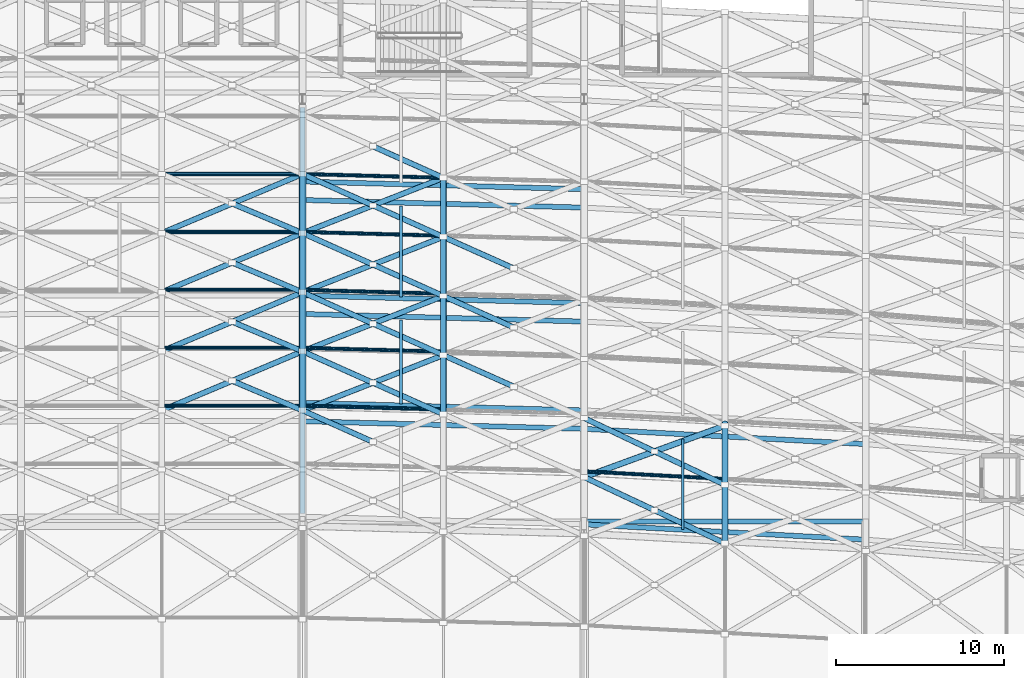
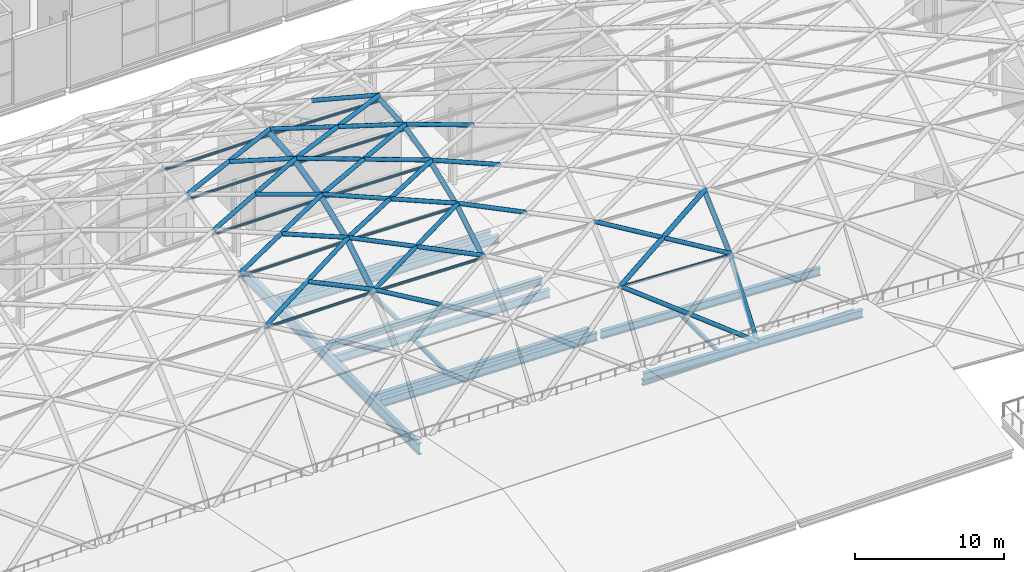
# One storey, part 21 of 100: 51 members, 13 beams.
"""IFC4 building model written with IfcOpenShell, lengths in metres."""

from ifc_helpers import new_model, si_unit, direction, frame, origin, origin_2d, place, context, subcontext, project, spatial, hollow_circle, i_section, extrude, material, material_profile, profile_set, type_object, element, save


model = new_model("IFC4")

# Units and contexts
model_context = context("Model", 3, precision=1e-05, world=origin(), true_north=direction((0.0, 1.0)))
body_context = subcontext(model_context, "Body", "Model", "MODEL_VIEW")
ifc_project = project(units=[si_unit("LENGTHUNIT", "METRE"), si_unit("AREAUNIT", "SQUARE_METRE"), si_unit("VOLUMEUNIT", "CUBIC_METRE"), si_unit("PLANEANGLEUNIT", "RADIAN"), si_unit("MASSUNIT", "GRAM", prefix="KILO")], contexts=[model_context])

# Site, building, storey
site_placement = place(None, origin())
site = spatial("IfcSite", under=ifc_project, at=site_placement, CompositionType="ELEMENT")
building_placement = place(site_placement, origin())
building = spatial("IfcBuilding", under=site, at=building_placement, Name="Kimbaza Rail Terminus", CompositionType="ELEMENT")
storey_placement = place(building_placement, frame((0.0, 0.0, 10.800048828125)))
storey = spatial("IfcBuildingStorey", under=building, at=storey_placement, Name="L02", CompositionType="ELEMENT", Elevation=10.800048828125)

# Beams
ifc_material_1 = material(Name="Steel S355", Category="steel")
ifc_material_profile_1 = material_profile(ifc_material_1, i_section(OverallWidth=0.300048828125, OverallDepth=0.43994140625, WebThickness=0.011474609375, FlangeThickness=0.02099609375, FilletRadius=0.027099609375, at=origin_2d()), Name="HEA 450")
ifc_profile_set_1 = profile_set([ifc_material_profile_1], Name="Steel S355")
beam_type_1 = type_object("IfcBeamType", Name="STR-BM-HEA450", PredefinedType="SPANDREL", material=ifc_profile_set_1)
beam_1_placement = place(storey_placement, frame((139.345947265625, 55.0, -1.179931640625), z_axis=(1.0, 0.0, 0.0), x_axis=(0.0, 1.0, 0.0)))
element("IfcBeam", 1, at=beam_1_placement, inside=storey, type_object=beam_type_1, Name="Beam BM-SKYEDGE-55-5", PredefinedType="SPANDREL", context=body_context, shape_type="SweptSolid", body=[
    extrude(i_section(OverallWidth=0.300048828125, OverallDepth=0.43994140625, WebThickness=0.011474609375, FlangeThickness=0.02099609375, FilletRadius=0.027099609375, at=origin_2d()), origin(), (0.0, 0.0, 1.0), 16.508056640625),
])
ifc_material_2 = material(Name="Steel S355", Category="steel")
ifc_material_profile_2 = material_profile(ifc_material_2, i_section(OverallWidth=0.300048828125, OverallDepth=0.64990234375, WebThickness=0.01611328125, FlangeThickness=0.031005859375, FilletRadius=0.027099609375, at=origin_2d()), Name="HEB 650")
ifc_profile_set_2 = profile_set([ifc_material_profile_2], Name="Steel S355")
beam_type_2 = type_object("IfcBeamType", Name="STR-BM-HEB650", PredefinedType="USERDEFINED", material=ifc_profile_set_2)
for number, where, z_axis, x_axis, name in (
    (2, (122.544921875, 60.9892578125, -0.5849609375), (0.999632852013, -0.027095408765, 0.0), (0.027095408765, 0.999632852013, 0.0), "Viaduct Chorded Girder P1 Bay 07"),
    (3, (122.544921875, 68.4892578125, -0.5849609375), (0.999632852013, -0.027095408765, 0.0), (0.027095408765, 0.999632852013, 0.0), "Viaduct Chorded Girder P2 Bay 07"),
    (4, (122.544921875, 74.189208984375, -0.5849609375), (0.999632852013, -0.027095408765, 0.0), (0.027095408765, 0.999632852013, 0.0), "Viaduct Chorded Girder P2 Bay 07"),
):
    element("IfcBeam", number, at=place(storey_placement, frame(where, z_axis=z_axis, x_axis=x_axis)), inside=storey, type_object=beam_type_2, Name=name, ObjectType="GIRDER", PredefinedType="USERDEFINED", context=body_context, shape_type="SweptSolid", body=[
        extrude(i_section(OverallWidth=0.300048828125, OverallDepth=0.64990234375, WebThickness=0.01611328125, FlangeThickness=0.031005859375, FilletRadius=0.027099609375, at=origin_2d()), origin(), (0.0, 0.0, 1.0), 16.51611328125),
    ])
for number, where, z_axis, x_axis, name in (
    (5, (139.3447265625, 54.829833984375, -0.5849609375), (0.998529923153, -0.054203252368, 0.0), (0.054203252368, 0.998529923153, 0.0), "Viaduct Chorded Girder P1 Bay 08"),
    (6, (139.3447265625, 60.52978515625, -0.5849609375), (0.998529923153, -0.054203252368, 0.0), (0.054203252368, 0.998529923153, 0.0), "Viaduct Chorded Girder P1 Bay 08"),
):
    element("IfcBeam", number, at=place(storey_placement, frame(where, z_axis=z_axis, x_axis=x_axis)), inside=storey, type_object=beam_type_2, Name=name, ObjectType="GIRDER", PredefinedType="USERDEFINED", context=body_context, shape_type="SweptSolid", body=[
        extrude(i_section(OverallWidth=0.300048828125, OverallDepth=0.64990234375, WebThickness=0.01611328125, FlangeThickness=0.031005859375, FilletRadius=0.027099609375, at=origin_2d()), origin(), (0.0, 0.0, 1.0), 16.534912109375),
    ])
ifc_material_3 = material(Name="Steel S355", Category="steel")
ifc_material_profile_3 = material_profile(ifc_material_3, i_section(OverallWidth=0.300048828125, OverallDepth=0.699951171875, WebThickness=0.01708984375, FlangeThickness=0.031982421875, FilletRadius=0.027099609375, at=origin_2d()), Name="HEB 700")
ifc_profile_set_3 = profile_set([ifc_material_profile_3], Name="Steel S355")
beam_type_3 = type_object("IfcBeamType", Name="STR-BM-HEB700", PredefinedType="USERDEFINED", material=ifc_profile_set_3)
for number, where, z_axis, x_axis, name in (
    (7, (122.544921875, 62.089111328125, -0.920166015625), (0.999632852013, -0.027095408765, 0.0), (0.027095408765, 0.999632852013, 0.0), "Viaduct Chorded Girder TR12 Bay 07"),
    (8, (122.544921875, 67.38916015625, -0.920166015625), (0.999632852013, -0.027095408765, 0.0), (0.027095408765, 0.999632852013, 0.0), "Viaduct Chorded Girder TR12 Bay 07"),
    (9, (122.544921875, 75.2890625, -0.920166015625), (0.999632852013, -0.027095408765, 0.0), (0.027095408765, 0.999632852013, 0.0), "Viaduct Chorded Girder TR34 Bay 07"),
):
    element("IfcBeam", number, at=place(storey_placement, frame(where, z_axis=z_axis, x_axis=x_axis)), inside=storey, type_object=beam_type_3, Name=name, ObjectType="GIRDER", PredefinedType="USERDEFINED", context=body_context, shape_type="SweptSolid", body=[
        extrude(i_section(OverallWidth=0.300048828125, OverallDepth=0.699951171875, WebThickness=0.01708984375, FlangeThickness=0.031982421875, FilletRadius=0.027099609375, at=origin_2d()), origin(), (0.0, 0.0, 1.0), 16.51611328125),
    ])
ifc_material_4 = material(Name="Steel S355", Category="steel")
ifc_material_profile_4 = material_profile(ifc_material_4, i_section(OverallWidth=0.302001953125, OverallDepth=0.909912109375, WebThickness=0.02099609375, FlangeThickness=0.0400390625, FilletRadius=0.030029296875, at=origin_2d()), Name="HEM 900")
ifc_profile_set_4 = profile_set([ifc_material_profile_4], Name="Steel S355")
beam_type_4 = type_object("IfcBeamType", Name="STR-BM-HEM900", PredefinedType="USERDEFINED", material=ifc_profile_set_4)
beam_2_placement = place(storey_placement, frame((122.39990234375, 55.498046875, -1.025146484375), z_axis=(0.0, 1.0, 0.0), x_axis=(-1.0, 0.0, 0.0)))
element("IfcBeam", 10, at=beam_2_placement, inside=storey, type_object=beam_type_4, Name="Warren Transfer Truss WT-04 Top Chord", ObjectType="GIRDER", PredefinedType="USERDEFINED", context=body_context, shape_type="SweptSolid", body=[
    extrude(i_section(OverallWidth=0.302001953125, OverallDepth=0.909912109375, WebThickness=0.02099609375, FlangeThickness=0.0400390625, FilletRadius=0.030029296875, at=origin_2d()), origin(), (0.0, 0.0, 1.0), 24.203857421875),
])
ifc_material_5 = material(Name="Steel S355", Category="steel")
ifc_material_profile_5 = material_profile(ifc_material_5, i_section(OverallWidth=0.169921875, OverallDepth=0.360107421875, WebThickness=0.008056640625, FlangeThickness=0.0126953125, FilletRadius=0.01806640625, at=origin_2d()), Name="IPE 360")
ifc_profile_set_5 = profile_set([ifc_material_profile_5], Name="Steel S355")
beam_type_5 = type_object("IfcBeamType", Name="STR-BM-IPE360", PredefinedType="JOIST", material=ifc_profile_set_5)
beam_3_placement = place(storey_placement, frame((128.280029296875, 62.010498046875, -0.75), z_axis=(0.0, 1.0, 0.0), x_axis=(-1.0, 0.0, 0.0)))
element("IfcBeam", 11, at=beam_3_placement, inside=storey, type_object=beam_type_5, Name="Viaduct Diaphragm TR12 Bay 07", PredefinedType="JOIST", context=body_context, shape_type="SweptSolid", body=[
    extrude(i_section(OverallWidth=0.169921875, OverallDepth=0.360107421875, WebThickness=0.008056640625, FlangeThickness=0.0126953125, FilletRadius=0.01806640625, at=origin_2d()), origin(), (0.0, 0.0, 1.0), 5.010009765625),
])
beam_4_placement = place(storey_placement, frame((128.280029296875, 68.410400390625, -0.43994140625), z_axis=(0.0, 1.0, 0.0), x_axis=(-1.0, 0.0, 0.0)))
element("IfcBeam", 12, at=beam_4_placement, inside=storey, type_object=beam_type_5, Name="Viaduct Diaphragm P2 Bay 07", PredefinedType="JOIST", context=body_context, shape_type="SweptSolid", body=[
    extrude(i_section(OverallWidth=0.169921875, OverallDepth=0.360107421875, WebThickness=0.008056640625, FlangeThickness=0.0126953125, FilletRadius=0.01806640625, at=origin_2d()), origin(), (0.0, 0.0, 1.0), 5.409912109375),
])
beam_5_placement = place(storey_placement, frame((145.080078125, 54.526611328125, -0.43994140625), z_axis=(0.0, 1.0, 0.0), x_axis=(-1.0, 0.0, 0.0)))
element("IfcBeam", 13, at=beam_5_placement, inside=storey, type_object=beam_type_5, Name="Viaduct Diaphragm P1 Bay 08", PredefinedType="JOIST", context=body_context, shape_type="SweptSolid", body=[
    extrude(i_section(OverallWidth=0.169921875, OverallDepth=0.360107421875, WebThickness=0.008056640625, FlangeThickness=0.0126953125, FilletRadius=0.01806640625, at=origin_2d()), origin(), (0.0, 0.0, 1.0), 5.41015625),
])

# Members
ifc_material_6 = material(Name="White painted steel S355", Category="steel")
ifc_material_profile_6 = material_profile(ifc_material_6, hollow_circle(Radius=0.109619140625, WallThickness=0.008056640625, at=origin_2d()), Name="CHS 219.1x8")
ifc_profile_set_6 = profile_set([ifc_material_profile_6], Name="White painted steel S355")
member_type_1 = type_object("IfcMemberType", Name="STR-MB-CHS219", PredefinedType="PURLIN", material=ifc_profile_set_6)
for number, where, z_axis, x_axis, name in (
    (14, (114.0, 61.9150390625, 7.9716796875), (1.0, 0.0, 0.0), (0.0, 1.0, 0.0), "Vault lattice longitudinal purlin VR-11-VA03"),
    (15, (114.0, 65.3720703125, 10.078857421875), (1.0, 0.0, 0.0), (0.0, 1.0, 0.0), "Vault lattice longitudinal purlin VR-11-VA04"),
    (16, (114.0, 68.8291015625, 11.462158203125), (1.0, 0.0, 0.0), (0.0, 1.0, 0.0), "Vault lattice longitudinal purlin VR-11-VA05"),
    (17, (114.0, 72.2861328125, 12.25244140625), (1.0, 0.0, 0.0), (0.0, 1.0, 0.0), "Vault lattice longitudinal purlin VR-11-VA06"),
    (18, (114.0, 75.7431640625, 12.510009765625), (1.0, 0.0, 0.0), (0.0, 1.0, 0.0), "Vault lattice longitudinal purlin VR-11-VA07"),
):
    element("IfcMember", number, at=place(storey_placement, frame(where, z_axis=z_axis, x_axis=x_axis)), inside=storey, type_object=member_type_1, Name=name, PredefinedType="PURLIN", context=body_context, shape_type="SweptSolid", body=[
        extrude(hollow_circle(Radius=0.109619140625, WallThickness=0.008056640625, at=origin_2d()), origin(), (0.0, 0.0, 1.0), 8.39990234375),
    ])
for number, where, z_axis, x_axis, name in (
    (19, (122.39990234375, 61.9150390625, 7.9716796875), (0.999632548307, -0.027106611084, 0.0), (0.027106611084, 0.999632548307, 0.0), "Vault lattice longitudinal purlin VR-12-VA03"),
    (20, (122.39990234375, 65.3720703125, 10.078857421875), (0.999632548307, -0.027106611084, 0.0), (0.027106611084, 0.999632548307, 0.0), "Vault lattice longitudinal purlin VR-12-VA04"),
    (21, (122.39990234375, 68.8291015625, 11.462158203125), (0.999632548307, -0.027106611084, 0.0), (0.027106611084, 0.999632548307, 0.0), "Vault lattice longitudinal purlin VR-12-VA05"),
    (22, (122.39990234375, 72.2861328125, 12.25244140625), (0.999632548307, -0.027106611084, 0.0), (0.027106611084, 0.999632548307, 0.0), "Vault lattice longitudinal purlin VR-12-VA06"),
    (23, (122.39990234375, 75.7431640625, 12.510009765625), (0.999632548307, -0.027106611084, 0.0), (0.027106611084, 0.999632548307, 0.0), "Vault lattice longitudinal purlin VR-12-VA07"),
):
    element("IfcMember", number, at=place(storey_placement, frame(where, z_axis=z_axis, x_axis=x_axis)), inside=storey, type_object=member_type_1, Name=name, PredefinedType="PURLIN", context=body_context, shape_type="SweptSolid", body=[
        extrude(hollow_circle(Radius=0.109619140625, WallThickness=0.008056640625, at=origin_2d()), origin(), (0.0, 0.0, 1.0), 8.4033203125),
    ])
member_1_placement = place(storey_placement, frame((139.199951171875, 58.00244140625, 4.85205078125), z_axis=(0.998531049137, -0.054182505558, 0.0), x_axis=(0.054182505558, 0.998531049137, 0.0)))
element("IfcMember", 24, at=member_1_placement, inside=storey, type_object=member_type_1, Name="Vault lattice longitudinal purlin VR-14-VA02", PredefinedType="PURLIN", context=body_context, shape_type="SweptSolid", body=[
    extrude(hollow_circle(Radius=0.109619140625, WallThickness=0.008056640625, at=origin_2d()), origin(), (0.0, 0.0, 1.0), 8.41259765625),
])
ifc_material_7 = material(Name="White painted steel S355", Category="steel")
ifc_material_profile_7 = material_profile(ifc_material_7, hollow_circle(Radius=0.161865234375, WallThickness=0.010009765625, at=origin_2d()), Name="CHS 323.9x10")
ifc_profile_set_7 = profile_set([ifc_material_profile_7], Name="White painted steel S355")
member_type_2 = type_object("IfcMemberType", Name="STR-MB-CHS323", PredefinedType="STRUT", material=ifc_profile_set_7)
member_2_placement = place(storey_placement, frame((114.0, 61.636474609375, 8.350341796875), z_axis=(0.897396130004, 0.376762398939, 0.229630748374), x_axis=(-0.387106733867, 0.922034910725, 0.0)))
element("IfcMember", 25, at=member_2_placement, inside=storey, type_object=member_type_2, Name="Vault lattice diagonal A VR-11-VA03", PredefinedType="STRUT", context=body_context, shape_type="SweptSolid", body=[
    extrude(hollow_circle(Radius=0.161865234375, WallThickness=0.010009765625, at=origin_2d()), origin(), (0.0, 0.0, 1.0), 9.3603515625),
])
member_3_placement = place(storey_placement, frame((122.39990234375, 61.636474609375, 8.350341796875), z_axis=(-0.897404948472, 0.376740018477, 0.229633004893), x_axis=(-0.38708395067, -0.922044475681, 0.0)))
element("IfcMember", 26, at=member_3_placement, inside=storey, type_object=member_type_2, Name="Vault lattice diagonal B1 VR-11-VA03", PredefinedType="STRUT", context=body_context, shape_type="SweptSolid", body=[
    extrude(hollow_circle(Radius=0.161865234375, WallThickness=0.010009765625, at=origin_2d()), origin(), (0.0, 0.0, 1.0), 4.68017578125),
])
member_4_placement = place(storey_placement, frame((114.0, 65.1630859375, 10.499755859375), z_axis=(0.911165232301, 0.382543212829, 0.153096733358), x_axis=(-0.387106733867, 0.922034910725, 0.0)))
element("IfcMember", 27, at=member_4_placement, inside=storey, type_object=member_type_2, Name="Vault lattice diagonal A VR-11-VA04", PredefinedType="STRUT", context=body_context, shape_type="SweptSolid", body=[
    extrude(hollow_circle(Radius=0.161865234375, WallThickness=0.010009765625, at=origin_2d()), origin(), (0.0, 0.0, 1.0), 9.21875),
])
member_5_placement = place(storey_placement, frame((122.39990234375, 65.1630859375, 10.499755859375), z_axis=(-0.911152306862, 0.382564268585, 0.153121043954), x_axis=(-0.387129516355, -0.922025345404, 0.0)))
element("IfcMember", 28, at=member_5_placement, inside=storey, type_object=member_type_2, Name="Vault lattice diagonal B1 VR-11-VA04", PredefinedType="STRUT", context=body_context, shape_type="SweptSolid", body=[
    extrude(hollow_circle(Radius=0.161865234375, WallThickness=0.010009765625, at=origin_2d()), origin(), (0.0, 0.0, 1.0), 4.609375),
])
member_6_placement = place(storey_placement, frame((114.0, 68.689697265625, 11.9111328125), z_axis=(0.918446051107, 0.385599988614, 0.088144767214), x_axis=(-0.387106733867, 0.922034910725, 0.0)))
element("IfcMember", 29, at=member_6_placement, inside=storey, type_object=member_type_2, Name="Vault lattice diagonal A VR-11-VA05", PredefinedType="STRUT", context=body_context, shape_type="SweptSolid", body=[
    extrude(hollow_circle(Radius=0.161865234375, WallThickness=0.010009765625, at=origin_2d()), origin(), (0.0, 0.0, 1.0), 9.145751953125),
])
member_7_placement = place(storey_placement, frame((122.39990234375, 68.689697265625, 11.9111328125), z_axis=(-0.918436597045, 0.385622713507, 0.088143859892), x_axis=(-0.387129516355, -0.922025345404, 0.0)))
element("IfcMember", 30, at=member_7_placement, inside=storey, type_object=member_type_2, Name="Vault lattice diagonal B1 VR-11-VA05", PredefinedType="STRUT", context=body_context, shape_type="SweptSolid", body=[
    extrude(hollow_circle(Radius=0.161865234375, WallThickness=0.010009765625, at=origin_2d()), origin(), (0.0, 0.0, 1.0), 4.572998046875),
])
member_8_placement = place(storey_placement, frame((114.0, 72.21630859375, 12.71728515625), z_axis=(0.921642270206, 0.386968675097, 0.028823085588), x_axis=(-0.387129516355, 0.922025345404, 0.0)))
element("IfcMember", 31, at=member_8_placement, inside=storey, type_object=member_type_2, Name="Vault lattice diagonal A VR-11-VA06", PredefinedType="STRUT", context=body_context, shape_type="SweptSolid", body=[
    extrude(hollow_circle(Radius=0.161865234375, WallThickness=0.010009765625, at=origin_2d()), origin(), (0.0, 0.0, 1.0), 9.114013671875),
])
member_9_placement = place(storey_placement, frame((122.39990234375, 72.21630859375, 12.71728515625), z_axis=(-0.921642270206, 0.386968675097, 0.028823085588), x_axis=(-0.387129516355, -0.922025345404, 0.0)))
element("IfcMember", 32, at=member_9_placement, inside=storey, type_object=member_type_2, Name="Vault lattice diagonal B1 VR-11-VA06", PredefinedType="STRUT", context=body_context, shape_type="SweptSolid", body=[
    extrude(hollow_circle(Radius=0.161865234375, WallThickness=0.010009765625, at=origin_2d()), origin(), (0.0, 0.0, 1.0), 4.55712890625),
])
member_10_placement = place(storey_placement, frame((126.60009765625, 59.75927734375, 6.759033203125), z_axis=(-0.862811084506, 0.385616974469, 0.326889249524), x_axis=(-0.408033237953, -0.912967073188, 0.0)))
element("IfcMember", 33, at=member_10_placement, inside=storey, type_object=member_type_2, Name="Vault lattice diagonal B2 VR-12-VA02", PredefinedType="STRUT", context=body_context, shape_type="SweptSolid", body=[
    extrude(hollow_circle(Radius=0.161865234375, WallThickness=0.010009765625, at=origin_2d()), origin(), (0.0, 0.0, 1.0), 4.867919921875),
])
member_11_placement = place(storey_placement, frame((122.39990234375, 61.636474609375, 8.350341796875), z_axis=(0.905470504303, 0.355588033079, 0.231690130493), x_axis=(-0.365534354506, 0.930797848985, 0.0)))
element("IfcMember", 34, at=member_11_placement, inside=storey, type_object=member_type_2, Name="Vault lattice diagonal A VR-12-VA03", PredefinedType="STRUT", context=body_context, shape_type="SweptSolid", body=[
    extrude(hollow_circle(Radius=0.161865234375, WallThickness=0.010009765625, at=origin_2d()), origin(), (0.0, 0.0, 1.0), 9.277099609375),
])
member_12_placement = place(storey_placement, frame((130.800048828125, 61.40869140625, 8.350341796875), z_axis=(-0.88902133096, 0.397354241339, 0.227487757885), x_axis=(-0.408053007434, -0.912958237338, 0.0)))
element("IfcMember", 35, at=member_12_placement, inside=storey, type_object=member_type_2, Name="Vault lattice diagonal B1 VR-12-VA03", PredefinedType="STRUT", context=body_context, shape_type="SweptSolid", body=[
    extrude(hollow_circle(Radius=0.161865234375, WallThickness=0.010009765625, at=origin_2d()), origin(), (0.0, 0.0, 1.0), 4.72412109375),
])
member_13_placement = place(storey_placement, frame((126.60009765625, 63.285888671875, 9.425048828125), z_axis=(-0.889032164102, 0.397335986386, 0.227477306811), x_axis=(-0.408033237953, -0.912967073188, 0.0)))
element("IfcMember", 36, at=member_13_placement, inside=storey, type_object=member_type_2, Name="Vault lattice diagonal B2 VR-12-VA03", PredefinedType="STRUT", context=body_context, shape_type="SweptSolid", body=[
    extrude(hollow_circle(Radius=0.161865234375, WallThickness=0.010009765625, at=origin_2d()), origin(), (0.0, 0.0, 1.0), 4.724365234375),
])
member_14_placement = place(storey_placement, frame((122.39990234375, 65.1630859375, 10.499755859375), z_axis=(0.91961082398, 0.361167816562, 0.154511296347), x_axis=(-0.365557792091, 0.930788644452, 0.0)))
element("IfcMember", 37, at=member_14_placement, inside=storey, type_object=member_type_2, Name="Vault lattice diagonal A VR-12-VA04", PredefinedType="STRUT", context=body_context, shape_type="SweptSolid", body=[
    extrude(hollow_circle(Radius=0.161865234375, WallThickness=0.010009765625, at=origin_2d()), origin(), (0.0, 0.0, 1.0), 9.134521484375),
])
for number, where, z_axis, x_axis, name in (
    (38, (130.800048828125, 64.935302734375, 10.499755859375), (-0.902399186705, 0.40333356662, 0.15165006387), (-0.408053007434, -0.912958237338, 0.0), "Vault lattice diagonal B1 VR-12-VA04"),
    (39, (126.60009765625, 66.8125, 11.20556640625), (-0.90241610258, 0.403317682675, 0.151591637785), (-0.408033237953, -0.912967073188, 0.0), "Vault lattice diagonal B2 VR-12-VA04"),
):
    element("IfcMember", number, at=place(storey_placement, frame(where, z_axis=z_axis, x_axis=x_axis)), inside=storey, type_object=member_type_2, Name=name, PredefinedType="STRUT", context=body_context, shape_type="SweptSolid", body=[
        extrude(hollow_circle(Radius=0.161865234375, WallThickness=0.010009765625, at=origin_2d()), origin(), (0.0, 0.0, 1.0), 4.654296875),
    ])
member_15_placement = place(storey_placement, frame((122.39990234375, 68.689697265625, 11.9111328125), z_axis=(0.927097218158, 0.364108021884, 0.088972447884), x_axis=(-0.365557792091, 0.930788644452, 0.0)))
element("IfcMember", 40, at=member_15_placement, inside=storey, type_object=member_type_2, Name="Vault lattice diagonal A VR-12-VA05", PredefinedType="STRUT", context=body_context, shape_type="SweptSolid", body=[
    extrude(hollow_circle(Radius=0.161865234375, WallThickness=0.010009765625, at=origin_2d()), origin(), (0.0, 0.0, 1.0), 9.060791015625),
])
member_16_placement = place(storey_placement, frame((130.800048828125, 68.462158203125, 11.9111328125), z_axis=(-0.909473927831, 0.406495671167, 0.087283697893), x_axis=(-0.408053007434, -0.912958237338, 0.0)))
element("IfcMember", 41, at=member_16_placement, inside=storey, type_object=member_type_2, Name="Vault lattice diagonal B1 VR-12-VA05", PredefinedType="STRUT", context=body_context, shape_type="SweptSolid", body=[
    extrude(hollow_circle(Radius=0.161865234375, WallThickness=0.010009765625, at=origin_2d()), origin(), (0.0, 0.0, 1.0), 4.617919921875),
])
member_17_placement = place(storey_placement, frame((126.60009765625, 70.33935546875, 12.314208984375), z_axis=(-0.909502608163, 0.406431995557, 0.087281376777), x_axis=(-0.407989004584, -0.912986841164, 0.0)))
element("IfcMember", 42, at=member_17_placement, inside=storey, type_object=member_type_2, Name="Vault lattice diagonal B2 VR-12-VA05", PredefinedType="STRUT", context=body_context, shape_type="SweptSolid", body=[
    extrude(hollow_circle(Radius=0.161865234375, WallThickness=0.010009765625, at=origin_2d()), origin(), (0.0, 0.0, 1.0), 4.6181640625),
])
member_18_placement = place(storey_placement, frame((122.39990234375, 72.21630859375, 12.71728515625), z_axis=(0.930394569994, 0.365403023348, 0.029095955977), x_axis=(-0.365557792091, 0.930788644452, 0.0)))
element("IfcMember", 43, at=member_18_placement, inside=storey, type_object=member_type_2, Name="Vault lattice diagonal A VR-12-VA06", PredefinedType="STRUT", context=body_context, shape_type="SweptSolid", body=[
    extrude(hollow_circle(Radius=0.161865234375, WallThickness=0.010009765625, at=origin_2d()), origin(), (0.0, 0.0, 1.0), 9.028564453125),
])
member_19_placement = place(storey_placement, frame((130.800048828125, 71.98876953125, 12.71728515625), z_axis=(-0.912586348206, 0.407886789011, 0.028539874169), x_axis=(-0.408053007434, -0.912958237338, 0.0)))
element("IfcMember", 44, at=member_19_placement, inside=storey, type_object=member_type_2, Name="Vault lattice diagonal B1 VR-12-VA06", PredefinedType="STRUT", context=body_context, shape_type="SweptSolid", body=[
    extrude(hollow_circle(Radius=0.161865234375, WallThickness=0.010009765625, at=origin_2d()), origin(), (0.0, 0.0, 1.0), 4.602294921875),
])
member_20_placement = place(storey_placement, frame((126.60009765625, 73.865966796875, 12.8486328125), z_axis=(-0.912595216469, 0.407867043678, 0.028538492587), x_axis=(-0.408033237953, -0.912967073188, 0.0)))
element("IfcMember", 45, at=member_20_placement, inside=storey, type_object=member_type_2, Name="Vault lattice diagonal B2 VR-12-VA06", PredefinedType="STRUT", context=body_context, shape_type="SweptSolid", body=[
    extrude(hollow_circle(Radius=0.161865234375, WallThickness=0.010009765625, at=origin_2d()), origin(), (0.0, 0.0, 1.0), 4.6025390625),
])
member_21_placement = place(storey_placement, frame((130.800048828125, 75.515380859375, 12.97998046875), z_axis=(-0.912586348206, 0.407886789011, -0.028539874169), x_axis=(-0.408053007434, -0.912958237338, 0.0)))
element("IfcMember", 46, at=member_21_placement, inside=storey, type_object=member_type_2, Name="Vault lattice diagonal B1 VR-12-VA07", PredefinedType="STRUT", context=body_context, shape_type="SweptSolid", body=[
    extrude(hollow_circle(Radius=0.161865234375, WallThickness=0.010009765625, at=origin_2d()), origin(), (0.0, 0.0, 1.0), 4.602294921875),
])
member_22_placement = place(storey_placement, frame((135.0, 63.05810546875, 9.425048828125), z_axis=(-0.88902133096, 0.397354241339, 0.227487757885), x_axis=(-0.408053007434, -0.912958237338, 0.0)))
element("IfcMember", 47, at=member_22_placement, inside=storey, type_object=member_type_2, Name="Vault lattice diagonal B2 VR-13-VA03", PredefinedType="STRUT", context=body_context, shape_type="SweptSolid", body=[
    extrude(hollow_circle(Radius=0.161865234375, WallThickness=0.010009765625, at=origin_2d()), origin(), (0.0, 0.0, 1.0), 4.72412109375),
])
member_23_placement = place(storey_placement, frame((135.0, 66.5849609375, 11.20556640625), z_axis=(-0.902406364083, 0.4033367746, 0.151598813707), x_axis=(-0.408053007434, -0.912958237338, 0.0)))
element("IfcMember", 48, at=member_23_placement, inside=storey, type_object=member_type_2, Name="Vault lattice diagonal B2 VR-13-VA04", PredefinedType="STRUT", context=body_context, shape_type="SweptSolid", body=[
    extrude(hollow_circle(Radius=0.161865234375, WallThickness=0.010009765625, at=origin_2d()), origin(), (0.0, 0.0, 1.0), 4.654052734375),
])
member_24_placement = place(storey_placement, frame((135.0, 70.111572265625, 12.314208984375), z_axis=(-0.909473927831, 0.406495671167, 0.087283697893), x_axis=(-0.408053007434, -0.912958237338, 0.0)))
element("IfcMember", 49, at=member_24_placement, inside=storey, type_object=member_type_2, Name="Vault lattice diagonal B2 VR-13-VA05", PredefinedType="STRUT", context=body_context, shape_type="SweptSolid", body=[
    extrude(hollow_circle(Radius=0.161865234375, WallThickness=0.010009765625, at=origin_2d()), origin(), (0.0, 0.0, 1.0), 4.617919921875),
])
member_25_placement = place(storey_placement, frame((147.60009765625, 53.707275390625, 0.064208984375), z_axis=(-0.793078072495, 0.37266002895, 0.481821205169), x_axis=(-0.425280130373, -0.905061771765, 0.0)))
element("IfcMember", 50, at=member_25_placement, inside=storey, type_object=member_type_2, Name="Vault lattice diagonal B1 VR-14-VA01", PredefinedType="STRUT", context=body_context, shape_type="SweptSolid", body=[
    extrude(hollow_circle(Radius=0.161865234375, WallThickness=0.010009765625, at=origin_2d()), origin(), (0.0, 0.0, 1.0), 5.296142578125),
])
member_26_placement = place(storey_placement, frame((143.39990234375, 55.680908203125, 2.615966796875), z_axis=(-0.793074592317, 0.372633955106, 0.481847098698), x_axis=(-0.425257284719, -0.905072506374, 0.0)))
element("IfcMember", 51, at=member_26_placement, inside=storey, type_object=member_type_2, Name="Vault lattice diagonal B2 VR-14-VA01", PredefinedType="STRUT", context=body_context, shape_type="SweptSolid", body=[
    extrude(hollow_circle(Radius=0.161865234375, WallThickness=0.010009765625, at=origin_2d()), origin(), (0.0, 0.0, 1.0), 5.2958984375),
])
member_27_placement = place(storey_placement, frame((147.60009765625, 57.198486328125, 5.167724609375), z_axis=(-0.854892339513, 0.405283766628, 0.323889111192), x_axis=(-0.42837531665, -0.903600900888, 0.0)))
element("IfcMember", 52, at=member_27_placement, inside=storey, type_object=member_type_2, Name="Vault lattice diagonal B1 VR-14-VA02", PredefinedType="STRUT", context=body_context, shape_type="SweptSolid", body=[
    extrude(hollow_circle(Radius=0.161865234375, WallThickness=0.010009765625, at=origin_2d()), origin(), (0.0, 0.0, 1.0), 4.9130859375),
])
member_28_placement = place(storey_placement, frame((143.39990234375, 59.189697265625, 6.759033203125), z_axis=(-0.854878963746, 0.405300984033, 0.323902870761), x_axis=(-0.428395648018, -0.903591261998, 0.0)))
element("IfcMember", 53, at=member_28_placement, inside=storey, type_object=member_type_2, Name="Vault lattice diagonal B2 VR-14-VA02", PredefinedType="STRUT", context=body_context, shape_type="SweptSolid", body=[
    extrude(hollow_circle(Radius=0.161865234375, WallThickness=0.010009765625, at=origin_2d()), origin(), (0.0, 0.0, 1.0), 4.912841796875),
])
ifc_material_8 = material(Name="White painted steel S355", Category="steel")
ifc_material_profile_8 = material_profile(ifc_material_8, hollow_circle(Radius=0.177734375, WallThickness=0.012451171875, at=origin_2d()), Name="CHS 355.6x12.5")
ifc_profile_set_8 = profile_set([ifc_material_profile_8], Name="White painted steel S355")
member_type_3 = type_object("IfcMemberType", Name="STR-MB-CHS355", PredefinedType="CHORD", material=ifc_profile_set_8)
member_29_placement = place(storey_placement, frame((130.800048828125, 61.58642578125, 8.108642578125), z_axis=(0.0, 0.853901304322, 0.520434974302), x_axis=(-1.0, 0.0, 0.0)))
element("IfcMember", 54, at=member_29_placement, inside=storey, type_object=member_type_3, Name="Vault lattice arch chord VR-13 seg 4", PredefinedType="CHORD", context=body_context, shape_type="SweptSolid", body=[
    extrude(hollow_circle(Radius=0.177734375, WallThickness=0.012451171875, at=origin_2d()), origin(), (0.0, 0.0, 1.0), 4.077880859375),
])
member_30_placement = place(storey_placement, frame((130.800048828125, 65.068603515625, 10.23095703125), z_axis=(0.0, 0.928422814748, 0.371525338375), x_axis=(-1.0, 0.0, 0.0)))
element("IfcMember", 55, at=member_30_placement, inside=storey, type_object=member_type_3, Name="Vault lattice arch chord VR-13 seg 5", PredefinedType="CHORD", context=body_context, shape_type="SweptSolid", body=[
    extrude(hollow_circle(Radius=0.177734375, WallThickness=0.012451171875, at=origin_2d()), origin(), (0.0, 0.0, 1.0), 3.7509765625),
])
member_31_placement = place(storey_placement, frame((130.800048828125, 68.551025390625, 11.62451171875), z_axis=(0.0, 0.974845354939, 0.22288233208), x_axis=(-1.0, 0.0, 0.0)))
element("IfcMember", 56, at=member_31_placement, inside=storey, type_object=member_type_3, Name="Vault lattice arch chord VR-13 seg 6", PredefinedType="CHORD", context=body_context, shape_type="SweptSolid", body=[
    extrude(hollow_circle(Radius=0.177734375, WallThickness=0.012451171875, at=origin_2d()), origin(), (0.0, 0.0, 1.0), 3.572021484375),
])
member_32_placement = place(storey_placement, frame((130.800048828125, 72.033203125, 12.420654296875), z_axis=(0.0, 0.997239447362, 0.074252842537), x_axis=(-1.0, 0.0, 0.0)))
element("IfcMember", 57, at=member_32_placement, inside=storey, type_object=member_type_3, Name="Vault lattice arch chord VR-13 seg 7", PredefinedType="CHORD", context=body_context, shape_type="SweptSolid", body=[
    extrude(hollow_circle(Radius=0.177734375, WallThickness=0.012451171875, at=origin_2d()), origin(), (0.0, 0.0, 1.0), 3.49169921875),
])
member_33_placement = place(storey_placement, frame((147.60009765625, 53.831787109375, 0.0), z_axis=(0.0, 0.585733481953, 0.810503724926), x_axis=(-1.0, 0.0, 0.0)))
element("IfcMember", 58, at=member_33_placement, inside=storey, type_object=member_type_3, Name="Vault lattice arch chord VR-15 seg 2", PredefinedType="CHORD", context=body_context, shape_type="SweptSolid", body=[
    extrude(hollow_circle(Radius=0.177734375, WallThickness=0.012451171875, at=origin_2d()), origin(), (0.0, 0.0, 1.0), 6.127197265625),
])
member_34_placement = place(storey_placement, frame((147.60009765625, 57.420654296875, 4.966064453125), z_axis=(0.0, 0.742379857618, 0.669979213859), x_axis=(-1.0, 0.0, 0.0)))
element("IfcMember", 59, at=member_34_placement, inside=storey, type_object=member_type_3, Name="Vault lattice arch chord VR-15 seg 3", PredefinedType="CHORD", context=body_context, shape_type="SweptSolid", body=[
    extrude(hollow_circle(Radius=0.177734375, WallThickness=0.012451171875, at=origin_2d()), origin(), (0.0, 0.0, 1.0), 4.690673828125),
])
member_35_placement = place(storey_placement, frame((139.199951171875, 57.654296875, 5.167724609375), z_axis=(0.884856941054, 0.3234728574, 0.33525140476), x_axis=(-0.343342534729, 0.939210255399, 0.0)))
element("IfcMember", 60, at=member_35_placement, inside=storey, type_object=member_type_3, Name="Vault lattice diagonal A VR-14-VA02", PredefinedType="CHORD", context=body_context, shape_type="SweptSolid", body=[
    extrude(hollow_circle(Radius=0.177734375, WallThickness=0.012451171875, at=origin_2d()), origin(), (0.0, 0.0, 1.0), 9.4931640625),
])
ifc_material_9 = material(Name="White painted steel S355", Category="steel")
ifc_material_profile_9 = material_profile(ifc_material_9, hollow_circle(Radius=0.203125, WallThickness=0.01416015625, at=origin_2d()), Name="CHS 406.4x14.2")
ifc_profile_set_9 = profile_set([ifc_material_profile_9], Name="White painted steel S355")
member_type_4 = type_object("IfcMemberType", Name="STR-MB-CHS406", PredefinedType="CHORD", material=ifc_profile_set_9)
member_36_placement = place(storey_placement, frame((122.39990234375, 61.814208984375, 8.108642578125), z_axis=(0.0, 0.853901304322, 0.520434974302), x_axis=(-1.0, 0.0, 0.0)))
element("IfcMember", 61, at=member_36_placement, inside=storey, type_object=member_type_4, Name="Vault lattice arch chord VR-12 seg 4", PredefinedType="CHORD", context=body_context, shape_type="SweptSolid", body=[
    extrude(hollow_circle(Radius=0.203125, WallThickness=0.01416015625, at=origin_2d()), origin(), (0.0, 0.0, 1.0), 4.077880859375),
])
member_37_placement = place(storey_placement, frame((122.39990234375, 65.29638671875, 10.23095703125), z_axis=(0.0, 0.928413829694, 0.37154779078), x_axis=(-1.0, 0.0, 0.0)))
element("IfcMember", 62, at=member_37_placement, inside=storey, type_object=member_type_4, Name="Vault lattice arch chord VR-12 seg 5", PredefinedType="CHORD", context=body_context, shape_type="SweptSolid", body=[
    extrude(hollow_circle(Radius=0.203125, WallThickness=0.01416015625, at=origin_2d()), origin(), (0.0, 0.0, 1.0), 3.750732421875),
])
member_38_placement = place(storey_placement, frame((122.39990234375, 68.778564453125, 11.62451171875), z_axis=(0.0, 0.974848749884, 0.22286748271), x_axis=(-1.0, 0.0, 0.0)))
element("IfcMember", 63, at=member_38_placement, inside=storey, type_object=member_type_4, Name="Vault lattice arch chord VR-12 seg 6", PredefinedType="CHORD", context=body_context, shape_type="SweptSolid", body=[
    extrude(hollow_circle(Radius=0.203125, WallThickness=0.01416015625, at=origin_2d()), origin(), (0.0, 0.0, 1.0), 3.572265625),
])
member_39_placement = place(storey_placement, frame((122.39990234375, 72.260986328125, 12.420654296875), z_axis=(0.0, 0.997239447362, 0.074252842537), x_axis=(-1.0, 0.0, 0.0)))
element("IfcMember", 64, at=member_39_placement, inside=storey, type_object=member_type_4, Name="Vault lattice arch chord VR-12 seg 7", PredefinedType="CHORD", context=body_context, shape_type="SweptSolid", body=[
    extrude(hollow_circle(Radius=0.203125, WallThickness=0.01416015625, at=origin_2d()), origin(), (0.0, 0.0, 1.0), 3.49169921875),
])

save(model, "model.ifc")
